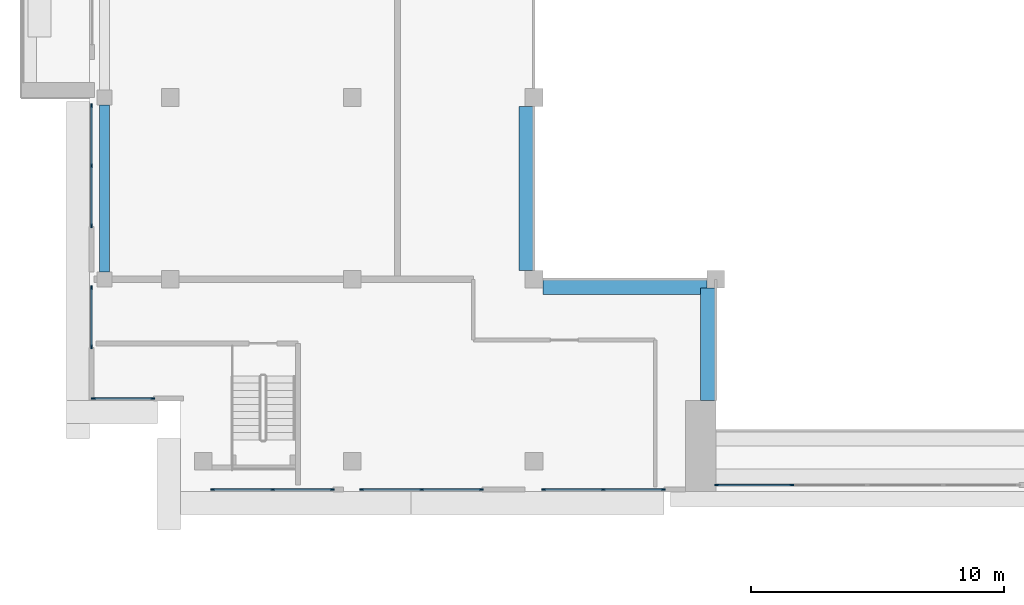
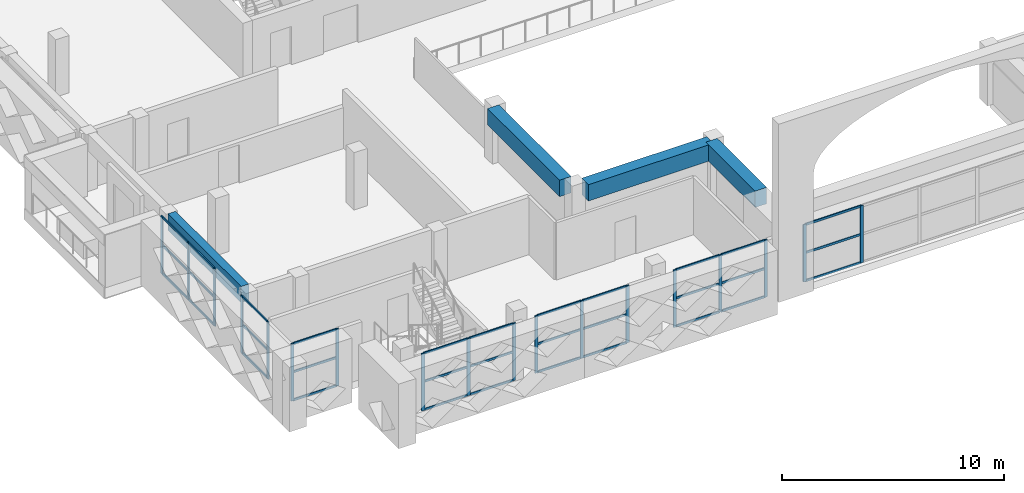
# One storey, part 2 of 22: 51 members, 4 beams, 7 elements without a shape of their own.
"""IFC4 building model written with IfcOpenShell, lengths in metres."""

from ifc_helpers import new_model, si_unit, direction, frame, origin, origin_2d, place, context, subcontext, project, spatial, rectangle, extrude, source, transform, mapped, material, layer, layer_set, material_profile, profile_set, type_object, element, aggregate, save


model = new_model("IFC4")

# Units and contexts
model_context = context("Model", 3, precision=1e-05, world=origin(), true_north=direction((0.0, 1.0)))
body_context = subcontext(model_context, "Body", "Model", "MODEL_VIEW")
ifc_project = project(units=[si_unit("LENGTHUNIT", "METRE"), si_unit("AREAUNIT", "SQUARE_METRE"), si_unit("VOLUMEUNIT", "CUBIC_METRE"), si_unit("PLANEANGLEUNIT", "RADIAN"), si_unit("MASSUNIT", "GRAM", prefix="KILO")], contexts=[model_context])

# Site, building, storey
site_placement = place(None, origin())
site = spatial("IfcSite", under=ifc_project, at=site_placement, CompositionType="ELEMENT")
building_placement = place(site_placement, origin())
building = spatial("IfcBuilding", under=site, at=building_placement, Name="Saffron Iwan Residences", CompositionType="ELEMENT")
storey_placement = place(building_placement, frame((0.0, 0.0, 271.0)))
storey = spatial("IfcBuildingStorey", under=building, at=storey_placement, Name="L73", CompositionType="ELEMENT", Elevation=271.0)

# Beams
ifc_material_1 = material(Name="Concrete C40/50", Category="concrete")
ifc_material_profile_1 = material_profile(ifc_material_1, rectangle(XDim=0.39990234375, YDim=0.89990234375, at=origin_2d()), Name="RC 400x900")
ifc_profile_set_1 = profile_set([ifc_material_profile_1], Name="Concrete C40/50")
beam_type_1 = type_object("IfcBeamType", Name="SPANDREL BEAM RC 400x900 C40/50 TOP 3150", PredefinedType="SPANDREL", material=ifc_profile_set_1)
shared_shape_1 = source(origin(), body_context, "Body", "SweptSolid", [
    extrude(rectangle(XDim=0.39990234375, YDim=0.89990234375, at=origin_2d()), origin(), (0.0, 0.0, 1.0), 6.599853515625),
])
beam_1_placement = place(storey_placement, frame((19.0, 48.300048828125, 2.699951171875), z_axis=(0.0, 1.0, 0.0), x_axis=(-1.0, 0.0, 0.0)))
element("IfcBeam", 1, at=beam_1_placement, inside=storey, type_object=beam_type_1, Name="Spandrel beam", PredefinedType="SPANDREL", context=body_context, shape_type="MappedRepresentation", body=[
    mapped(shared_shape_1, transform((0.0, 0.0, 0.0))),
])
ifc_material_profile_2 = material_profile(ifc_material_1, rectangle(XDim=0.60009765625, YDim=0.89990234375, at=origin_2d()), Name="RC 600x900")
ifc_profile_set_2 = profile_set([ifc_material_profile_2], Name="Concrete C40/50")
beam_type_2 = type_object("IfcBeamType", Name="BEAM RC 600x900 C40/50 TOP 3150", PredefinedType="BEAM", material=ifc_profile_set_2)
shared_shape_2 = source(origin(), body_context, "Body", "SweptSolid", [
    extrude(rectangle(XDim=0.60009765625, YDim=0.89990234375, at=origin_2d()), origin(), (0.0, 0.0, 1.0), 4.449951171875),
])
beam_2_placement = place(storey_placement, frame((42.89990234375, 43.199951171875, 2.699951171875), z_axis=(0.0, 1.0, 0.0), x_axis=(-1.0, 0.0, 0.0)))
element("IfcBeam", 2, at=beam_2_placement, inside=storey, type_object=beam_type_2, Name="Atrium edge beam", PredefinedType="BEAM", context=body_context, shape_type="MappedRepresentation", body=[
    mapped(shared_shape_2, transform((0.0, 0.0, 0.0))),
])
shared_shape_3 = source(origin(), body_context, "Body", "SweptSolid", [
    extrude(rectangle(XDim=0.60009765625, YDim=0.89990234375, at=origin_2d()), origin(), (0.0, 0.0, 1.0), 6.5),
])
for number, where, z_axis, x_axis, name in (
    (3, (42.85009765625, 47.699951171875, 2.699951171875), (-1.0, 0.0, 0.0), (0.0, -1.0, 0.0), "Atrium edge beam"),
    (4, (35.699951171875, 48.35009765625, 2.699951171875), (0.0, 1.0, 0.0), (-1.0, 0.0, 0.0), "Atrium edge beam"),
):
    element("IfcBeam", number, at=place(storey_placement, frame(where, z_axis=z_axis, x_axis=x_axis)), inside=storey, type_object=beam_type_2, Name=name, PredefinedType="BEAM", context=body_context, shape_type="MappedRepresentation", body=[
        mapped(shared_shape_3, transform((0.0, 0.0, 0.0))),
    ])

# Curtain wall, members
ifc_material_2 = material(Name="Clear glass, laminated double glazed", Category="glass")
ifc_layer_1 = layer(ifc_material_2, 0.199951171875)
ifc_layer_set_1 = layer_set([ifc_layer_1], Name="Clear glass, laminated double glazed")
curtain_wall_type_1 = type_object("IfcCurtainWallType", Name="CW-B IWAN PORTAL", PredefinedType="NOTDEFINED", material=ifc_layer_set_1)
curtain_wall_1_placement = place(storey_placement, origin())
curtain_wall_1 = element("IfcCurtainWall", 5, at=curtain_wall_1_placement, inside=storey, type_object=curtain_wall_type_1, Name="Iwan portal glazing L73.1", PredefinedType="NOTDEFINED")
ifc_material_3 = material(Name="Aluminium 6063-T6", Category="aluminium")
ifc_material_profile_3 = material_profile(ifc_material_3, rectangle(XDim=0.06005859375, YDim=0.1201171875, at=origin_2d()), Name="CW-B TRANSOM 60 x 120")
ifc_profile_set_3 = profile_set([ifc_material_profile_3], Name="Aluminium 6063-T6")
member_type_1 = type_object("IfcMemberType", Name="CW-B TRANSOM 60 x 120", PredefinedType="USERDEFINED", material=ifc_profile_set_3)
shared_shape_4 = source(origin(), body_context, "Body", "SweptSolid", [
    extrude(rectangle(XDim=0.06005859375, YDim=0.1201171875, at=origin_2d()), origin(), (0.0, 0.0, 1.0), 2.909912109375),
])
member_1_placement = place(storey_placement, frame((43.260009765625, 39.85009765625, 0.030029296875), z_axis=(1.0, 0.0, 0.0), x_axis=(0.0, 1.0, 0.0)))
member_1 = element("IfcMember", 6, at=member_1_placement, type_object=member_type_1, Name="CW-B transom 1.1", ObjectType="TRANSOM", PredefinedType="USERDEFINED", context=body_context, shape_type="MappedRepresentation", body=[
    mapped(shared_shape_4, transform((0.0, 0.0, 0.0))),
])
member_2_placement = place(storey_placement, frame((43.260009765625, 39.85009765625, 1.574951171875), z_axis=(1.0, 0.0, 0.0), x_axis=(0.0, 1.0, 0.0)))
member_2 = element("IfcMember", 7, at=member_2_placement, type_object=member_type_1, Name="CW-B transom 1.2", ObjectType="TRANSOM", PredefinedType="USERDEFINED", context=body_context, shape_type="MappedRepresentation", body=[
    mapped(shared_shape_4, transform((0.0, 0.0, 0.0))),
])
member_3_placement = place(storey_placement, frame((43.260009765625, 39.85009765625, 3.1201171875), z_axis=(1.0, 0.0, 0.0), x_axis=(0.0, 1.0, 0.0)))
member_3 = element("IfcMember", 8, at=member_3_placement, type_object=member_type_1, Name="CW-B transom 1.3", ObjectType="TRANSOM", PredefinedType="USERDEFINED", context=body_context, shape_type="MappedRepresentation", body=[
    mapped(shared_shape_4, transform((0.0, 0.0, 0.0))),
])
ifc_material_profile_4 = material_profile(ifc_material_3, rectangle(XDim=0.06005859375, YDim=0.159912109375, at=origin_2d()), Name="CW-B MULLION 60 x 160")
ifc_profile_set_4 = profile_set([ifc_material_profile_4], Name="Aluminium 6063-T6")
member_type_2 = type_object("IfcMemberType", Name="CW-B MULLION 60 x 160", PredefinedType="MULLION", material=ifc_profile_set_4)
shared_shape_5 = source(origin(), body_context, "Body", "SweptSolid", [
    extrude(rectangle(XDim=0.06005859375, YDim=0.159912109375, at=origin_2d()), origin(), (0.0, 0.0, 1.0), 3.14990234375),
])
member_4_placement = place(storey_placement, frame((43.22998046875, 39.85009765625, 0.0), z_axis=(0.0, 0.0, 1.0), x_axis=(0.0, 1.0, 0.0)))
member_4 = element("IfcMember", 9, at=member_4_placement, type_object=member_type_2, Name="CW-B mullion 1", PredefinedType="MULLION", context=body_context, shape_type="MappedRepresentation", body=[
    mapped(shared_shape_5, transform((0.0, 0.0, 0.0))),
])
member_5_placement = place(storey_placement, frame((46.199951171875, 39.85009765625, 0.0), z_axis=(0.0, 0.0, 1.0), x_axis=(0.0, 1.0, 0.0)))
member_5 = element("IfcMember", 10, at=member_5_placement, type_object=member_type_2, Name="CW-B mullion 2", PredefinedType="MULLION", context=body_context, shape_type="MappedRepresentation", body=[
    mapped(shared_shape_5, transform((0.0, 0.0, 0.0))),
])
aggregate(curtain_wall_1, [member_4, member_5, member_1, member_2, member_3])

ifc_layer_2 = layer(ifc_material_2, 0.14990234375)
ifc_layer_set_2 = layer_set([ifc_layer_2], Name="Clear glass, laminated double glazed")
curtain_wall_type_2 = type_object("IfcCurtainWallType", Name="CW-E SKY CLUB GLAZING", PredefinedType="NOTDEFINED", material=ifc_layer_set_2)
curtain_wall_2_placement = place(storey_placement, origin())
curtain_wall_2 = element("IfcCurtainWall", 11, at=curtain_wall_2_placement, inside=storey, type_object=curtain_wall_type_2, Name="Glazing L73 F8.3", PredefinedType="NOTDEFINED")
ifc_material_profile_5 = material_profile(ifc_material_3, rectangle(XDim=0.06005859375, YDim=0.159912109375, at=origin_2d()), Name="CW-E MULLION 60 x 160")
ifc_profile_set_5 = profile_set([ifc_material_profile_5], Name="Aluminium 6063-T6")
member_type_3 = type_object("IfcMemberType", Name="CW-E MULLION 60 x 160", PredefinedType="MULLION", material=ifc_profile_set_5)
shared_shape_6 = source(origin(), body_context, "Body", "SweptSolid", [
    extrude(rectangle(XDim=0.06005859375, YDim=0.159912109375, at=origin_2d()), origin(), (0.0, 0.0, 1.0), 3.14990234375),
])
member_6_placement = place(storey_placement, frame((18.47998046875, 54.8701171875, 0.0), z_axis=(0.0, 0.0, 1.0), x_axis=(1.0, 0.0, 0.0)))
member_6 = element("IfcMember", 12, at=member_6_placement, type_object=member_type_3, Name="CW-E mullion 1", PredefinedType="MULLION", context=body_context, shape_type="MappedRepresentation", body=[
    mapped(shared_shape_6, transform((0.0, 0.0, 0.0))),
])
member_7_placement = place(storey_placement, frame((18.47998046875, 52.5, 0.0), z_axis=(0.0, 0.0, 1.0), x_axis=(1.0, 0.0, 0.0)))
member_7 = element("IfcMember", 13, at=member_7_placement, type_object=member_type_3, Name="CW-E mullion 2", PredefinedType="MULLION", context=body_context, shape_type="MappedRepresentation", body=[
    mapped(shared_shape_6, transform((0.0, 0.0, 0.0))),
])
member_8_placement = place(storey_placement, frame((18.47998046875, 50.1298828125, 0.0), z_axis=(0.0, 0.0, 1.0), x_axis=(1.0, 0.0, 0.0)))
member_8 = element("IfcMember", 14, at=member_8_placement, type_object=member_type_3, Name="CW-E mullion 3", PredefinedType="MULLION", context=body_context, shape_type="MappedRepresentation", body=[
    mapped(shared_shape_6, transform((0.0, 0.0, 0.0))),
])

curtain_wall_3_placement = place(storey_placement, origin())
curtain_wall_3 = element("IfcCurtainWall", 15, at=curtain_wall_3_placement, inside=storey, type_object=curtain_wall_type_2, Name="Glazing L73 F8.4", PredefinedType="NOTDEFINED")
member_9_placement = place(storey_placement, frame((18.47998046875, 47.669921875, 0.0), z_axis=(0.0, 0.0, 1.0), x_axis=(1.0, 0.0, 0.0)))
member_9 = element("IfcMember", 16, at=member_9_placement, type_object=member_type_3, Name="CW-E mullion 1", PredefinedType="MULLION", context=body_context, shape_type="MappedRepresentation", body=[
    mapped(shared_shape_6, transform((0.0, 0.0, 0.0))),
])
member_10_placement = place(storey_placement, frame((18.47998046875, 45.330078125, 0.0), z_axis=(0.0, 0.0, 1.0), x_axis=(1.0, 0.0, 0.0)))
member_10 = element("IfcMember", 17, at=member_10_placement, type_object=member_type_3, Name="CW-E mullion 2", PredefinedType="MULLION", context=body_context, shape_type="MappedRepresentation", body=[
    mapped(shared_shape_6, transform((0.0, 0.0, 0.0))),
])

curtain_wall_4_placement = place(storey_placement, origin())
curtain_wall_4 = element("IfcCurtainWall", 18, at=curtain_wall_4_placement, inside=storey, type_object=curtain_wall_type_2, Name="Glazing L73 F9.0", PredefinedType="NOTDEFINED")
member_11_placement = place(storey_placement, frame((18.56005859375, 43.280029296875, 0.0), z_axis=(0.0, 0.0, 1.0), x_axis=(0.0, 1.0, 0.0)))
member_11 = element("IfcMember", 19, at=member_11_placement, type_object=member_type_3, Name="CW-E mullion 1", PredefinedType="MULLION", context=body_context, shape_type="MappedRepresentation", body=[
    mapped(shared_shape_6, transform((0.0, 0.0, 0.0))),
])
member_12_placement = place(storey_placement, frame((20.89990234375, 43.280029296875, 0.0), z_axis=(0.0, 0.0, 1.0), x_axis=(0.0, 1.0, 0.0)))
member_12 = element("IfcMember", 20, at=member_12_placement, type_object=member_type_3, Name="CW-E mullion 2", PredefinedType="MULLION", context=body_context, shape_type="MappedRepresentation", body=[
    mapped(shared_shape_6, transform((0.0, 0.0, 0.0))),
])

curtain_wall_5_placement = place(storey_placement, origin())
curtain_wall_5 = element("IfcCurtainWall", 21, at=curtain_wall_5_placement, inside=storey, type_object=curtain_wall_type_2, Name="Glazing L73 F11.0", PredefinedType="NOTDEFINED")
member_13_placement = place(storey_placement, frame((23.280029296875, 39.679931640625, 0.0), z_axis=(0.0, 0.0, 1.0), x_axis=(0.0, 1.0, 0.0)))
member_13 = element("IfcMember", 22, at=member_13_placement, type_object=member_type_3, Name="CW-E mullion 1", PredefinedType="MULLION", context=body_context, shape_type="MappedRepresentation", body=[
    mapped(shared_shape_6, transform((0.0, 0.0, 0.0))),
])
member_14_placement = place(storey_placement, frame((25.64990234375, 39.679931640625, 0.0), z_axis=(0.0, 0.0, 1.0), x_axis=(0.0, 1.0, 0.0)))
member_14 = element("IfcMember", 23, at=member_14_placement, type_object=member_type_3, Name="CW-E mullion 2", PredefinedType="MULLION", context=body_context, shape_type="MappedRepresentation", body=[
    mapped(shared_shape_6, transform((0.0, 0.0, 0.0))),
])
member_15_placement = place(storey_placement, frame((28.02001953125, 39.679931640625, 0.0), z_axis=(0.0, 0.0, 1.0), x_axis=(0.0, 1.0, 0.0)))
member_15 = element("IfcMember", 24, at=member_15_placement, type_object=member_type_3, Name="CW-E mullion 3", PredefinedType="MULLION", context=body_context, shape_type="MappedRepresentation", body=[
    mapped(shared_shape_6, transform((0.0, 0.0, 0.0))),
])

curtain_wall_6_placement = place(storey_placement, origin())
curtain_wall_6 = element("IfcCurtainWall", 25, at=curtain_wall_6_placement, inside=storey, type_object=curtain_wall_type_2, Name="Glazing L73 F11.1", PredefinedType="NOTDEFINED")
member_16_placement = place(storey_placement, frame((29.179931640625, 39.679931640625, 0.0), z_axis=(0.0, 0.0, 1.0), x_axis=(0.0, 1.0, 0.0)))
member_16 = element("IfcMember", 26, at=member_16_placement, type_object=member_type_3, Name="CW-E mullion 1", PredefinedType="MULLION", context=body_context, shape_type="MappedRepresentation", body=[
    mapped(shared_shape_6, transform((0.0, 0.0, 0.0))),
])
member_17_placement = place(storey_placement, frame((31.550048828125, 39.679931640625, 0.0), z_axis=(0.0, 0.0, 1.0), x_axis=(0.0, 1.0, 0.0)))
member_17 = element("IfcMember", 27, at=member_17_placement, type_object=member_type_3, Name="CW-E mullion 2", PredefinedType="MULLION", context=body_context, shape_type="MappedRepresentation", body=[
    mapped(shared_shape_6, transform((0.0, 0.0, 0.0))),
])
member_18_placement = place(storey_placement, frame((33.919921875, 39.679931640625, 0.0), z_axis=(0.0, 0.0, 1.0), x_axis=(0.0, 1.0, 0.0)))
member_18 = element("IfcMember", 28, at=member_18_placement, type_object=member_type_3, Name="CW-E mullion 3", PredefinedType="MULLION", context=body_context, shape_type="MappedRepresentation", body=[
    mapped(shared_shape_6, transform((0.0, 0.0, 0.0))),
])

curtain_wall_7_placement = place(storey_placement, origin())
curtain_wall_7 = element("IfcCurtainWall", 29, at=curtain_wall_7_placement, inside=storey, type_object=curtain_wall_type_2, Name="Glazing L73 F11.2", PredefinedType="NOTDEFINED")
member_19_placement = place(storey_placement, frame((36.3798828125, 39.679931640625, 0.0), z_axis=(0.0, 0.0, 1.0), x_axis=(0.0, 1.0, 0.0)))
member_19 = element("IfcMember", 30, at=member_19_placement, type_object=member_type_3, Name="CW-E mullion 1", PredefinedType="MULLION", context=body_context, shape_type="MappedRepresentation", body=[
    mapped(shared_shape_6, transform((0.0, 0.0, 0.0))),
])
member_20_placement = place(storey_placement, frame((38.75, 39.679931640625, 0.0), z_axis=(0.0, 0.0, 1.0), x_axis=(0.0, 1.0, 0.0)))
member_20 = element("IfcMember", 31, at=member_20_placement, type_object=member_type_3, Name="CW-E mullion 2", PredefinedType="MULLION", context=body_context, shape_type="MappedRepresentation", body=[
    mapped(shared_shape_6, transform((0.0, 0.0, 0.0))),
])
member_21_placement = place(storey_placement, frame((41.1201171875, 39.679931640625, 0.0), z_axis=(0.0, 0.0, 1.0), x_axis=(0.0, 1.0, 0.0)))
member_21 = element("IfcMember", 32, at=member_21_placement, type_object=member_type_3, Name="CW-E mullion 3", PredefinedType="MULLION", context=body_context, shape_type="MappedRepresentation", body=[
    mapped(shared_shape_6, transform((0.0, 0.0, 0.0))),
])

# Member
ifc_material_profile_6 = material_profile(ifc_material_3, rectangle(XDim=0.06005859375, YDim=0.1201171875, at=origin_2d()), Name="CW-E TRANSOM 60 x 120")
ifc_profile_set_6 = profile_set([ifc_material_profile_6], Name="Aluminium 6063-T6")
member_type_4 = type_object("IfcMemberType", Name="CW-E TRANSOM 60 x 120", PredefinedType="USERDEFINED", material=ifc_profile_set_6)
shared_shape_7 = source(origin(), body_context, "Body", "SweptSolid", [
    extrude(rectangle(XDim=0.06005859375, YDim=0.1201171875, at=origin_2d()), origin(), (0.0, 0.0, 1.0), 2.280029296875),
])
member_22_placement = place(storey_placement, frame((18.590087890625, 43.280029296875, 0.030029296875), z_axis=(1.0, 0.0, 0.0), x_axis=(0.0, 1.0, 0.0)))
member_22 = element("IfcMember", 33, at=member_22_placement, type_object=member_type_4, Name="CW-E transom 1.1", ObjectType="TRANSOM", PredefinedType="USERDEFINED", context=body_context, shape_type="MappedRepresentation", body=[
    mapped(shared_shape_7, transform((0.0, 0.0, 0.0))),
])

member_23_placement = place(storey_placement, frame((18.590087890625, 43.280029296875, 1.574951171875), z_axis=(1.0, 0.0, 0.0), x_axis=(0.0, 1.0, 0.0)))
member_23 = element("IfcMember", 34, at=member_23_placement, type_object=member_type_4, Name="CW-E transom 1.2", ObjectType="TRANSOM", PredefinedType="USERDEFINED", context=body_context, shape_type="MappedRepresentation", body=[
    mapped(shared_shape_7, transform((0.0, 0.0, 0.0))),
])

member_24_placement = place(storey_placement, frame((18.590087890625, 43.280029296875, 3.1201171875), z_axis=(1.0, 0.0, 0.0), x_axis=(0.0, 1.0, 0.0)))
member_24 = element("IfcMember", 35, at=member_24_placement, type_object=member_type_4, Name="CW-E transom 1.3", ObjectType="TRANSOM", PredefinedType="USERDEFINED", context=body_context, shape_type="MappedRepresentation", body=[
    mapped(shared_shape_7, transform((0.0, 0.0, 0.0))),
])

aggregate(curtain_wall_4, [member_11, member_12, member_22, member_23, member_24])

shared_shape_8 = source(origin(), body_context, "Body", "SweptSolid", [
    extrude(rectangle(XDim=0.06005859375, YDim=0.1201171875, at=origin_2d()), origin(), (0.0, 0.0, 1.0), 2.31005859375),
])
member_25_placement = place(storey_placement, frame((18.47998046875, 54.840087890625, 0.030029296875), z_axis=(0.0, -1.0, 0.0), x_axis=(1.0, 0.0, 0.0)))
member_25 = element("IfcMember", 36, at=member_25_placement, type_object=member_type_4, Name="CW-E transom 1.1", ObjectType="TRANSOM", PredefinedType="USERDEFINED", context=body_context, shape_type="MappedRepresentation", body=[
    mapped(shared_shape_8, transform((0.0, 0.0, 0.0))),
])

member_26_placement = place(storey_placement, frame((18.47998046875, 54.840087890625, 1.574951171875), z_axis=(0.0, -1.0, 0.0), x_axis=(1.0, 0.0, 0.0)))
member_26 = element("IfcMember", 37, at=member_26_placement, type_object=member_type_4, Name="CW-E transom 1.2", ObjectType="TRANSOM", PredefinedType="USERDEFINED", context=body_context, shape_type="MappedRepresentation", body=[
    mapped(shared_shape_8, transform((0.0, 0.0, 0.0))),
])

member_27_placement = place(storey_placement, frame((18.47998046875, 54.840087890625, 3.1201171875), z_axis=(0.0, -1.0, 0.0), x_axis=(1.0, 0.0, 0.0)))
member_27 = element("IfcMember", 38, at=member_27_placement, type_object=member_type_4, Name="CW-E transom 1.3", ObjectType="TRANSOM", PredefinedType="USERDEFINED", context=body_context, shape_type="MappedRepresentation", body=[
    mapped(shared_shape_8, transform((0.0, 0.0, 0.0))),
])

member_28_placement = place(storey_placement, frame((18.47998046875, 52.469970703125, 0.030029296875), z_axis=(0.0, -1.0, 0.0), x_axis=(1.0, 0.0, 0.0)))
member_28 = element("IfcMember", 39, at=member_28_placement, type_object=member_type_4, Name="CW-E transom 2.1", ObjectType="TRANSOM", PredefinedType="USERDEFINED", context=body_context, shape_type="MappedRepresentation", body=[
    mapped(shared_shape_8, transform((0.0, 0.0, 0.0))),
])

member_29_placement = place(storey_placement, frame((18.47998046875, 52.469970703125, 1.574951171875), z_axis=(0.0, -1.0, 0.0), x_axis=(1.0, 0.0, 0.0)))
member_29 = element("IfcMember", 40, at=member_29_placement, type_object=member_type_4, Name="CW-E transom 2.2", ObjectType="TRANSOM", PredefinedType="USERDEFINED", context=body_context, shape_type="MappedRepresentation", body=[
    mapped(shared_shape_8, transform((0.0, 0.0, 0.0))),
])

member_30_placement = place(storey_placement, frame((18.47998046875, 52.469970703125, 3.1201171875), z_axis=(0.0, -1.0, 0.0), x_axis=(1.0, 0.0, 0.0)))
member_30 = element("IfcMember", 41, at=member_30_placement, type_object=member_type_4, Name="CW-E transom 2.3", ObjectType="TRANSOM", PredefinedType="USERDEFINED", context=body_context, shape_type="MappedRepresentation", body=[
    mapped(shared_shape_8, transform((0.0, 0.0, 0.0))),
])

aggregate(curtain_wall_2, [member_6, member_7, member_8, member_25, member_26, member_27, member_28, member_29, member_30])

member_31_placement = place(storey_placement, frame((23.31005859375, 39.679931640625, 0.030029296875), z_axis=(1.0, 0.0, 0.0), x_axis=(0.0, 1.0, 0.0)))
member_31 = element("IfcMember", 42, at=member_31_placement, type_object=member_type_4, Name="CW-E transom 1.1", ObjectType="TRANSOM", PredefinedType="USERDEFINED", context=body_context, shape_type="MappedRepresentation", body=[
    mapped(shared_shape_8, transform((0.0, 0.0, 0.0))),
])

member_32_placement = place(storey_placement, frame((23.31005859375, 39.679931640625, 1.574951171875), z_axis=(1.0, 0.0, 0.0), x_axis=(0.0, 1.0, 0.0)))
member_32 = element("IfcMember", 43, at=member_32_placement, type_object=member_type_4, Name="CW-E transom 1.2", ObjectType="TRANSOM", PredefinedType="USERDEFINED", context=body_context, shape_type="MappedRepresentation", body=[
    mapped(shared_shape_8, transform((0.0, 0.0, 0.0))),
])

member_33_placement = place(storey_placement, frame((23.31005859375, 39.679931640625, 3.1201171875), z_axis=(1.0, 0.0, 0.0), x_axis=(0.0, 1.0, 0.0)))
member_33 = element("IfcMember", 44, at=member_33_placement, type_object=member_type_4, Name="CW-E transom 1.3", ObjectType="TRANSOM", PredefinedType="USERDEFINED", context=body_context, shape_type="MappedRepresentation", body=[
    mapped(shared_shape_8, transform((0.0, 0.0, 0.0))),
])

member_34_placement = place(storey_placement, frame((25.679931640625, 39.679931640625, 0.030029296875), z_axis=(1.0, 0.0, 0.0), x_axis=(0.0, 1.0, 0.0)))
member_34 = element("IfcMember", 45, at=member_34_placement, type_object=member_type_4, Name="CW-E transom 2.1", ObjectType="TRANSOM", PredefinedType="USERDEFINED", context=body_context, shape_type="MappedRepresentation", body=[
    mapped(shared_shape_8, transform((0.0, 0.0, 0.0))),
])

member_35_placement = place(storey_placement, frame((25.679931640625, 39.679931640625, 1.574951171875), z_axis=(1.0, 0.0, 0.0), x_axis=(0.0, 1.0, 0.0)))
member_35 = element("IfcMember", 46, at=member_35_placement, type_object=member_type_4, Name="CW-E transom 2.2", ObjectType="TRANSOM", PredefinedType="USERDEFINED", context=body_context, shape_type="MappedRepresentation", body=[
    mapped(shared_shape_8, transform((0.0, 0.0, 0.0))),
])

member_36_placement = place(storey_placement, frame((25.679931640625, 39.679931640625, 3.1201171875), z_axis=(1.0, 0.0, 0.0), x_axis=(0.0, 1.0, 0.0)))
member_36 = element("IfcMember", 47, at=member_36_placement, type_object=member_type_4, Name="CW-E transom 2.3", ObjectType="TRANSOM", PredefinedType="USERDEFINED", context=body_context, shape_type="MappedRepresentation", body=[
    mapped(shared_shape_8, transform((0.0, 0.0, 0.0))),
])

aggregate(curtain_wall_5, [member_13, member_14, member_15, member_31, member_32, member_33, member_34, member_35, member_36])

member_37_placement = place(storey_placement, frame((29.2099609375, 39.679931640625, 0.030029296875), z_axis=(1.0, 0.0, 0.0), x_axis=(0.0, 1.0, 0.0)))
member_37 = element("IfcMember", 48, at=member_37_placement, type_object=member_type_4, Name="CW-E transom 1.1", ObjectType="TRANSOM", PredefinedType="USERDEFINED", context=body_context, shape_type="MappedRepresentation", body=[
    mapped(shared_shape_8, transform((0.0, 0.0, 0.0))),
])

member_38_placement = place(storey_placement, frame((29.2099609375, 39.679931640625, 1.574951171875), z_axis=(1.0, 0.0, 0.0), x_axis=(0.0, 1.0, 0.0)))
member_38 = element("IfcMember", 49, at=member_38_placement, type_object=member_type_4, Name="CW-E transom 1.2", ObjectType="TRANSOM", PredefinedType="USERDEFINED", context=body_context, shape_type="MappedRepresentation", body=[
    mapped(shared_shape_8, transform((0.0, 0.0, 0.0))),
])

member_39_placement = place(storey_placement, frame((29.2099609375, 39.679931640625, 3.1201171875), z_axis=(1.0, 0.0, 0.0), x_axis=(0.0, 1.0, 0.0)))
member_39 = element("IfcMember", 50, at=member_39_placement, type_object=member_type_4, Name="CW-E transom 1.3", ObjectType="TRANSOM", PredefinedType="USERDEFINED", context=body_context, shape_type="MappedRepresentation", body=[
    mapped(shared_shape_8, transform((0.0, 0.0, 0.0))),
])

member_40_placement = place(storey_placement, frame((36.409912109375, 39.679931640625, 0.030029296875), z_axis=(1.0, 0.0, 0.0), x_axis=(0.0, 1.0, 0.0)))
member_40 = element("IfcMember", 51, at=member_40_placement, type_object=member_type_4, Name="CW-E transom 1.1", ObjectType="TRANSOM", PredefinedType="USERDEFINED", context=body_context, shape_type="MappedRepresentation", body=[
    mapped(shared_shape_8, transform((0.0, 0.0, 0.0))),
])

member_41_placement = place(storey_placement, frame((36.409912109375, 39.679931640625, 1.574951171875), z_axis=(1.0, 0.0, 0.0), x_axis=(0.0, 1.0, 0.0)))
member_41 = element("IfcMember", 52, at=member_41_placement, type_object=member_type_4, Name="CW-E transom 1.2", ObjectType="TRANSOM", PredefinedType="USERDEFINED", context=body_context, shape_type="MappedRepresentation", body=[
    mapped(shared_shape_8, transform((0.0, 0.0, 0.0))),
])

member_42_placement = place(storey_placement, frame((36.409912109375, 39.679931640625, 3.1201171875), z_axis=(1.0, 0.0, 0.0), x_axis=(0.0, 1.0, 0.0)))
member_42 = element("IfcMember", 53, at=member_42_placement, type_object=member_type_4, Name="CW-E transom 1.3", ObjectType="TRANSOM", PredefinedType="USERDEFINED", context=body_context, shape_type="MappedRepresentation", body=[
    mapped(shared_shape_8, transform((0.0, 0.0, 0.0))),
])

member_43_placement = place(storey_placement, frame((38.780029296875, 39.679931640625, 0.030029296875), z_axis=(1.0, 0.0, 0.0), x_axis=(0.0, 1.0, 0.0)))
member_43 = element("IfcMember", 54, at=member_43_placement, type_object=member_type_4, Name="CW-E transom 2.1", ObjectType="TRANSOM", PredefinedType="USERDEFINED", context=body_context, shape_type="MappedRepresentation", body=[
    mapped(shared_shape_8, transform((0.0, 0.0, 0.0))),
])

member_44_placement = place(storey_placement, frame((38.780029296875, 39.679931640625, 1.574951171875), z_axis=(1.0, 0.0, 0.0), x_axis=(0.0, 1.0, 0.0)))
member_44 = element("IfcMember", 55, at=member_44_placement, type_object=member_type_4, Name="CW-E transom 2.2", ObjectType="TRANSOM", PredefinedType="USERDEFINED", context=body_context, shape_type="MappedRepresentation", body=[
    mapped(shared_shape_8, transform((0.0, 0.0, 0.0))),
])

member_45_placement = place(storey_placement, frame((38.780029296875, 39.679931640625, 3.1201171875), z_axis=(1.0, 0.0, 0.0), x_axis=(0.0, 1.0, 0.0)))
member_45 = element("IfcMember", 56, at=member_45_placement, type_object=member_type_4, Name="CW-E transom 2.3", ObjectType="TRANSOM", PredefinedType="USERDEFINED", context=body_context, shape_type="MappedRepresentation", body=[
    mapped(shared_shape_8, transform((0.0, 0.0, 0.0))),
])

aggregate(curtain_wall_7, [member_19, member_20, member_21, member_40, member_41, member_42, member_43, member_44, member_45])

shared_shape_9 = source(origin(), body_context, "Body", "SweptSolid", [
    extrude(rectangle(XDim=0.06005859375, YDim=0.1201171875, at=origin_2d()), origin(), (0.0, 0.0, 1.0), 2.309814453125),
])
member_46_placement = place(storey_placement, frame((31.580078125, 39.679931640625, 0.030029296875), z_axis=(1.0, 0.0, 0.0), x_axis=(0.0, 1.0, 0.0)))
member_46 = element("IfcMember", 57, at=member_46_placement, type_object=member_type_4, Name="CW-E transom 2.1", ObjectType="TRANSOM", PredefinedType="USERDEFINED", context=body_context, shape_type="MappedRepresentation", body=[
    mapped(shared_shape_9, transform((0.0, 0.0, 0.0))),
])

member_47_placement = place(storey_placement, frame((31.580078125, 39.679931640625, 1.574951171875), z_axis=(1.0, 0.0, 0.0), x_axis=(0.0, 1.0, 0.0)))
member_47 = element("IfcMember", 58, at=member_47_placement, type_object=member_type_4, Name="CW-E transom 2.2", ObjectType="TRANSOM", PredefinedType="USERDEFINED", context=body_context, shape_type="MappedRepresentation", body=[
    mapped(shared_shape_9, transform((0.0, 0.0, 0.0))),
])

member_48_placement = place(storey_placement, frame((31.580078125, 39.679931640625, 3.1201171875), z_axis=(1.0, 0.0, 0.0), x_axis=(0.0, 1.0, 0.0)))
member_48 = element("IfcMember", 59, at=member_48_placement, type_object=member_type_4, Name="CW-E transom 2.3", ObjectType="TRANSOM", PredefinedType="USERDEFINED", context=body_context, shape_type="MappedRepresentation", body=[
    mapped(shared_shape_9, transform((0.0, 0.0, 0.0))),
])

aggregate(curtain_wall_6, [member_16, member_17, member_18, member_37, member_38, member_39, member_46, member_47, member_48])

shared_shape_10 = source(origin(), body_context, "Body", "SweptSolid", [
    extrude(rectangle(XDim=0.06005859375, YDim=0.1201171875, at=origin_2d()), origin(), (0.0, 0.0, 1.0), 2.27978515625),
])
member_49_placement = place(storey_placement, frame((18.47998046875, 47.639892578125, 0.030029296875), z_axis=(0.0, -1.0, 0.0), x_axis=(1.0, 0.0, 0.0)))
member_49 = element("IfcMember", 60, at=member_49_placement, type_object=member_type_4, Name="CW-E transom 1.1", ObjectType="TRANSOM", PredefinedType="USERDEFINED", context=body_context, shape_type="MappedRepresentation", body=[
    mapped(shared_shape_10, transform((0.0, 0.0, 0.0))),
])

member_50_placement = place(storey_placement, frame((18.47998046875, 47.639892578125, 1.574951171875), z_axis=(0.0, -1.0, 0.0), x_axis=(1.0, 0.0, 0.0)))
member_50 = element("IfcMember", 61, at=member_50_placement, type_object=member_type_4, Name="CW-E transom 1.2", ObjectType="TRANSOM", PredefinedType="USERDEFINED", context=body_context, shape_type="MappedRepresentation", body=[
    mapped(shared_shape_10, transform((0.0, 0.0, 0.0))),
])

member_51_placement = place(storey_placement, frame((18.47998046875, 47.639892578125, 3.1201171875), z_axis=(0.0, -1.0, 0.0), x_axis=(1.0, 0.0, 0.0)))
member_51 = element("IfcMember", 62, at=member_51_placement, type_object=member_type_4, Name="CW-E transom 1.3", ObjectType="TRANSOM", PredefinedType="USERDEFINED", context=body_context, shape_type="MappedRepresentation", body=[
    mapped(shared_shape_10, transform((0.0, 0.0, 0.0))),
])

aggregate(curtain_wall_3, [member_9, member_10, member_49, member_50, member_51])

save(model, "model.ifc")
